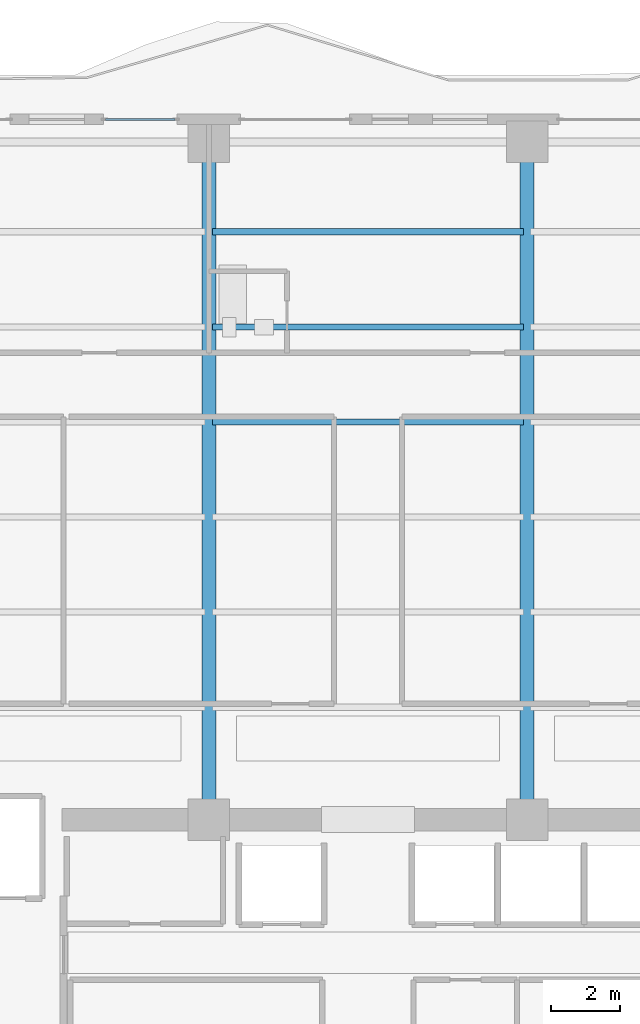
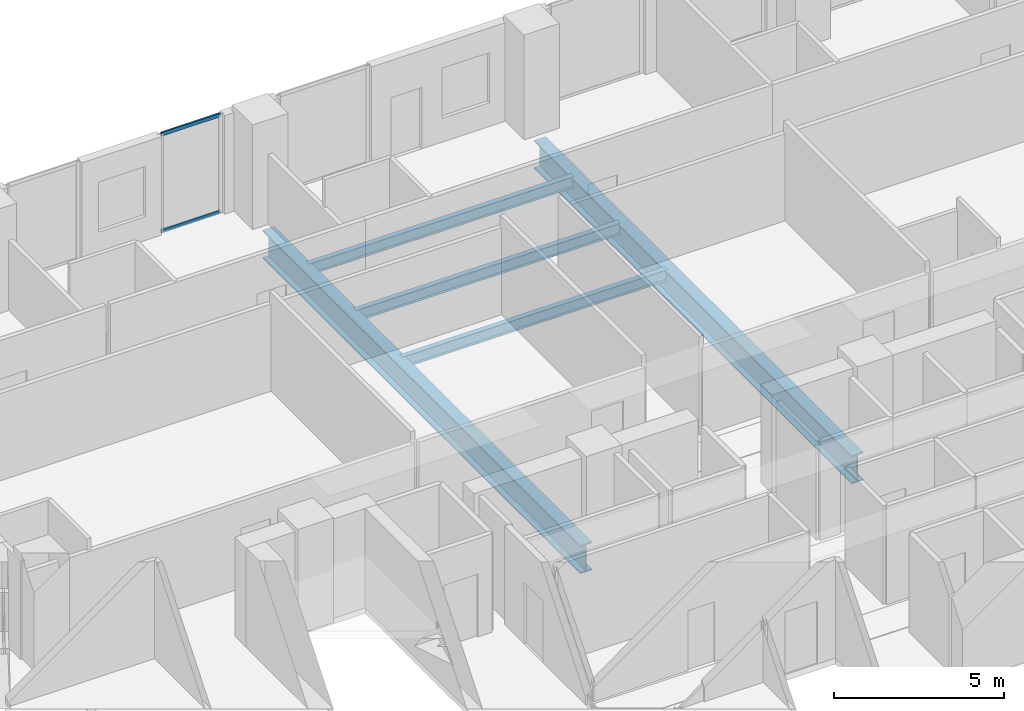
# One storey, part 19 of 33: 5 beams, 2 members, 1 element without a shape of its own.
"""IFC4 building model written with IfcOpenShell, lengths in metres."""

from ifc_helpers import new_model, si_unit, direction, frame, origin, origin_2d, place, context, subcontext, project, spatial, hollow_rectangle, i_section, extrude, material, layer, layer_set, material_profile, profile_set, type_object, element, aggregate, save


model = new_model("IFC4")

# Units and contexts
model_context = context("Model", 3, precision=1e-05, world=origin(), true_north=direction((0.0, 1.0)))
body_context = subcontext(model_context, "Body", "Model", "MODEL_VIEW")
ifc_project = project(units=[si_unit("LENGTHUNIT", "METRE"), si_unit("AREAUNIT", "SQUARE_METRE"), si_unit("VOLUMEUNIT", "CUBIC_METRE"), si_unit("PLANEANGLEUNIT", "RADIAN"), si_unit("MASSUNIT", "GRAM", prefix="KILO")], contexts=[model_context])

# Site, building, storey
site_placement = place(None, origin())
site = spatial("IfcSite", under=ifc_project, at=site_placement, CompositionType="ELEMENT")
building_placement = place(site_placement, origin())
building = spatial("IfcBuilding", under=site, at=building_placement, Name="Zuhayl Quay Hotel", CompositionType="ELEMENT")
storey_placement = place(building_placement, frame((0.0, 0.0, 214.89990234375)))
storey = spatial("IfcBuildingStorey", under=building, at=storey_placement, Name="L54", CompositionType="ELEMENT", Elevation=214.89990234375)

# Beams
ifc_material_1 = material(Name="Steel ASTM A992 Grade 50", Category="steel")
ifc_material_profile_1 = material_profile(ifc_material_1, i_section(OverallWidth=0.177978515625, OverallDepth=0.406005859375, WebThickness=0.0078125, FlangeThickness=0.0126953125, at=origin_2d()), Name="W16X40")
ifc_profile_set_1 = profile_set([ifc_material_profile_1], Name="Steel ASTM A992 Grade 50")
beam_type_1 = type_object("IfcBeamType", Name="BM_J2B_W16X40", PredefinedType="JOIST", material=ifc_profile_set_1)
for number, where, z_axis, x_axis, name in (
    (1, (-4.493896484375, 24.85009765625, -0.4228515625), (1.0, 0.0, 0.0), (0.0, 1.0, 0.0), "L54 Floor Beam FJ_L54_4_2"),
    (2, (-4.493896484375, 27.60009765625, -0.4228515625), (1.0, 0.0, 0.0), (0.0, 1.0, 0.0), "L54 Floor Beam FJ_L54_5_2"),
    (3, (-4.493896484375, 30.35009765625, -0.4228515625), (1.0, 0.0, 0.0), (0.0, 1.0, 0.0), "L54 Floor Beam FJ_L54_6_2"),
):
    element("IfcBeam", number, at=place(storey_placement, frame(where, z_axis=z_axis, x_axis=x_axis)), inside=storey, type_object=beam_type_1, Name=name, PredefinedType="JOIST", context=body_context, shape_type="SweptSolid", body=[
        extrude(i_section(OverallWidth=0.177978515625, OverallDepth=0.406005859375, WebThickness=0.0078125, FlangeThickness=0.0126953125, at=origin_2d()), origin(), (0.0, 0.0, 1.0), 8.98779296875),
    ])
ifc_material_profile_2 = material_profile(ifc_material_1, i_section(OverallWidth=0.40087890625, OverallDepth=1.010986328125, WebThickness=0.023681640625, FlangeThickness=0.0419921875, at=origin_2d()), Name="W40X297")
ifc_profile_set_2 = profile_set([ifc_material_profile_2], Name="Steel ASTM A992 Grade 50")
beam_type_2 = type_object("IfcBeamType", Name="BM_TG2_W40X297", PredefinedType="BEAM", material=ifc_profile_set_2)
for number, where, z_axis, x_axis, name in (
    (4, (-4.60009765625, 13.800048828125, -0.725341796875), (0.0, 1.0, 0.0), (-1.0, 0.0, 0.0), "L54 Floor Beam FG_N_L54_2"),
    (5, (4.60009765625, 13.800048828125, -0.725341796875), (0.0, 1.0, 0.0), (-1.0, 0.0, 0.0), "L54 Floor Beam FG_N_L54_3"),
):
    element("IfcBeam", number, at=place(storey_placement, frame(where, z_axis=z_axis, x_axis=x_axis)), inside=storey, type_object=beam_type_2, Name=name, PredefinedType="BEAM", context=body_context, shape_type="SweptSolid", body=[
        extrude(i_section(OverallWidth=0.40087890625, OverallDepth=1.010986328125, WebThickness=0.023681640625, FlangeThickness=0.0419921875, at=origin_2d()), origin(), (0.0, 0.0, 1.0), 18.64990234375),
    ])

# Curtain wall, members
ifc_material_2 = material(Name="Anodised Aluminium 6063-T6", Category="aluminium")
ifc_layer = layer(ifc_material_2, 0.175048828125, Name="Anodised Aluminium 6063-T6", Category="aluminium")
ifc_layer_set = layer_set([ifc_layer], Name="Anodised Aluminium 6063-T6")
curtain_wall_type = type_object("IfcCurtainWallType", Name="CW_SYS_Z3", PredefinedType="USERDEFINED", material=ifc_layer_set)
curtain_wall_placement = place(storey_placement, origin())
curtain_wall = element("IfcCurtainWall", 6, at=curtain_wall_placement, inside=storey, type_object=curtain_wall_type, Name="L54 Curtain Wall ENV_L54_N_CW3", ObjectType="UNITISED CURTAIN WALL", PredefinedType="USERDEFINED")
ifc_material_3 = material(Name="Black-anodised aluminium 6063-T6", Category="aluminium")
ifc_material_profile_3 = material_profile(ifc_material_3, hollow_rectangle(XDim=0.054931640625, YDim=0.1298828125, WallThickness=0.0029296875, at=origin_2d()), Name="ALU130X55")
ifc_profile_set_3 = profile_set([ifc_material_profile_3], Name="Black-anodised aluminium 6063-T6")
member_type = type_object("IfcMemberType", Name="MB_CW_TRN_130", PredefinedType="USERDEFINED", material=ifc_profile_set_3)
member_1_placement = place(storey_placement, frame((-7.5849609375, 33.60009765625, 0.027587890625), z_axis=(1.0, 0.0, 0.0), x_axis=(0.0, 1.0, 0.0)))
member_1 = element("IfcMember", 7, at=member_1_placement, type_object=member_type, Name="CW-Z3 transom 1.1", ObjectType="TRANSOM", PredefinedType="USERDEFINED", context=body_context, shape_type="SweptSolid", body=[
    extrude(hollow_rectangle(XDim=0.054931640625, YDim=0.1298828125, WallThickness=0.0029296875, at=origin_2d()), origin(), (0.0, 0.0, 1.0), 2.0),
])
member_2_placement = place(storey_placement, frame((-7.5849609375, 33.60009765625, 3.502685546875), z_axis=(1.0, 0.0, 0.0), x_axis=(0.0, 1.0, 0.0)))
member_2 = element("IfcMember", 8, at=member_2_placement, type_object=member_type, Name="CW-Z3 transom 1.2", ObjectType="TRANSOM", PredefinedType="USERDEFINED", context=body_context, shape_type="SweptSolid", body=[
    extrude(hollow_rectangle(XDim=0.054931640625, YDim=0.1298828125, WallThickness=0.0029296875, at=origin_2d()), origin(), (0.0, 0.0, 1.0), 2.0),
])
aggregate(curtain_wall, [member_1, member_2])

save(model, "model.ifc")
